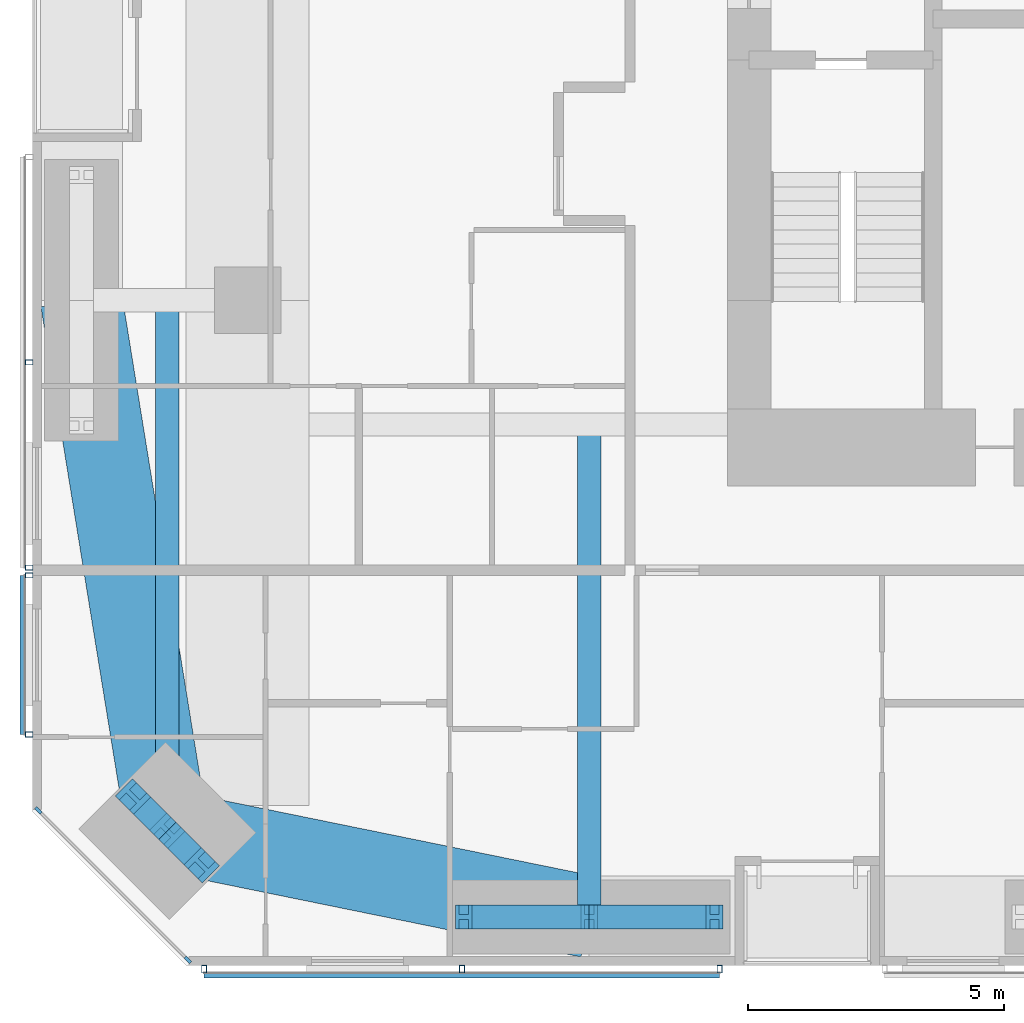
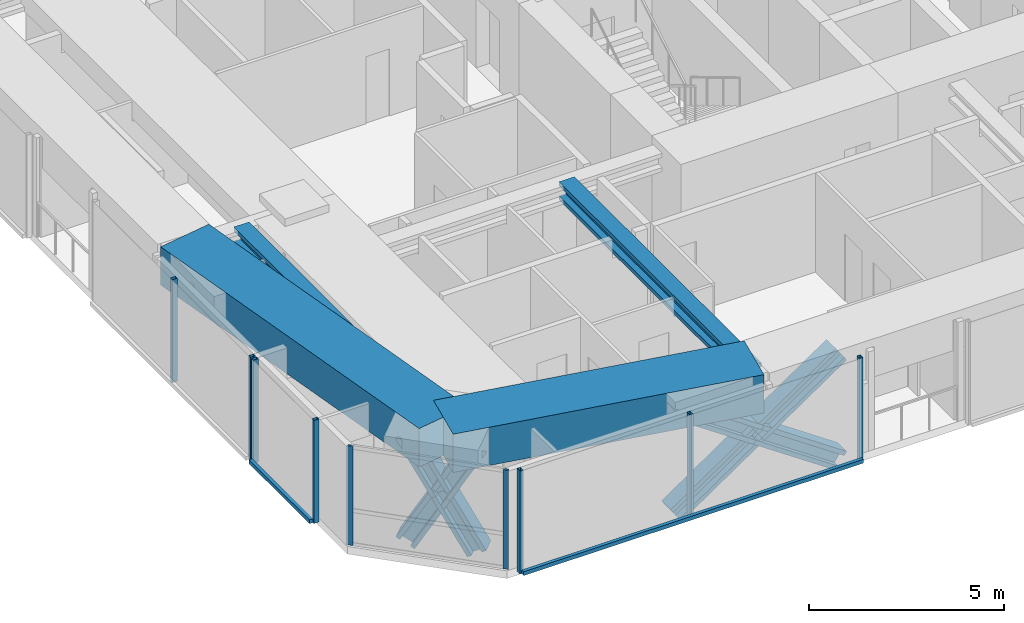
# One storey, part 2 of 23: 19 members, 4 beams, 4 elements without a shape of their own.
"""IFC4 building model written with IfcOpenShell, lengths in metres."""

import ifcopenshell
import ifcopenshell.guid

model = None  # the IFC model being written
_history = None  # IfcOwnerHistory: only IFC2X3 demands one
_inside = {}  # id of a spatial element -> (the spatial element, [elements in it])
_under = {}  # id of a project, library or spatial element -> (it, [spatial elements below it])
_declared = {}  # id of a project -> (the project, [libraries it declares])
_typed = {}  # id of a type object -> (the type object, [elements of that type])
_made_of = {}  # id of a material, layer set ... -> (it, [elements and type objects made of it])


def new_model(schema):
    """Start an empty IFC model of exactly this schema.

    Asked for "IFC4X3", IfcOpenShell would pick the latest addendum, in which some entities
    have other attributes; the version numbers below select the first issue.
    IFC2X3 requires an IfcOwnerHistory on every rooted entity: one is made here for all.
    """
    global model, _history
    if schema == "IFC4X3":
        model = ifcopenshell.file(schema_version=(4, 3, 0, 0))
    else:
        model = ifcopenshell.file(schema=schema)
    _inside.clear()
    _under.clear()
    _declared.clear()
    _typed.clear()
    _made_of.clear()
    _history = None
    if model.schema == "IFC2X3":
        org = make("IfcOrganization", Name="unknown")
        user = make(
            "IfcPersonAndOrganization",
            ThePerson=make("IfcPerson", FamilyName="unknown"),
            TheOrganization=org,
        )
        app = make(
            "IfcApplication",
            ApplicationDeveloper=org,
            Version="unknown",
            ApplicationFullName="unknown",
            ApplicationIdentifier="unknown",
        )
        _history = make(
            "IfcOwnerHistory",
            OwningUser=user,
            OwningApplication=app,
            ChangeAction="ADDED",
            CreationDate=0,
        )
    return model


def make(cls, **values):
    """One entity of the class cls with the attributes given. An attribute that is None is left unset."""
    return model.create_entity(
        cls, **{name: value for name, value in values.items() if value is not None}
    )


def rooted(cls, **values):
    """An entity with a GlobalId (a new one), such as an element, a storey or a relation."""
    return make(cls, GlobalId=ifcopenshell.guid.new(), OwnerHistory=_history, **values)


def si_unit(unit_type, name, prefix=None):
    """IfcSIUnit, for example si_unit("LENGTHUNIT", "METRE", prefix="MILLI")."""
    return make("IfcSIUnit", UnitType=unit_type, Prefix=prefix, Name=name)


def assignment(units):
    """IfcUnitAssignment: the units of a project."""
    return None if units is None else make("IfcUnitAssignment", Units=units)


def point(xyz):
    """IfcCartesianPoint."""
    return None if xyz is None else make("IfcCartesianPoint", Coordinates=xyz)


def direction(xyz):
    """IfcDirection."""
    return None if xyz is None else make("IfcDirection", DirectionRatios=xyz)


def frame(location, z_axis=None, x_axis=None):
    """IfcAxis2Placement3D, a coordinate frame: its origin and axes. An axis left out is left unset."""
    return make(
        "IfcAxis2Placement3D",
        Location=point(location),
        Axis=direction(z_axis),
        RefDirection=direction(x_axis),
    )


def frame_2d(location, x_axis=None):
    """IfcAxis2Placement2D, a coordinate frame in the plane: its origin and x axis."""
    return make(
        "IfcAxis2Placement2D", Location=point(location), RefDirection=direction(x_axis)
    )


def origin():
    """The frame at (0, 0, 0) with its axes left unset."""
    return frame((0.0, 0.0, 0.0))


def origin_2d():
    """The frame at (0, 0) in the plane with its x axis left unset."""
    return frame_2d((0.0, 0.0))


def place(relative_to, where):
    """IfcLocalPlacement: puts the frame where relative to a parent placement (None: the world)."""
    return make(
        "IfcLocalPlacement", PlacementRelTo=relative_to, RelativePlacement=where
    )


def context(
    kind, dimensions, precision=None, world=None, true_north=None, identifier=None
):
    """IfcGeometricRepresentationContext, for example the 3D "Model" context."""
    return make(
        "IfcGeometricRepresentationContext",
        ContextIdentifier=identifier,
        ContextType=kind,
        CoordinateSpaceDimension=dimensions,
        Precision=precision,
        WorldCoordinateSystem=world,
        TrueNorth=true_north,
    )


def subcontext(parent, identifier, kind, view, scale=None):
    """IfcGeometricRepresentationSubContext, for example "Body" below "Model"."""
    return make(
        "IfcGeometricRepresentationSubContext",
        ContextIdentifier=identifier,
        ContextType=kind,
        ParentContext=parent,
        TargetScale=scale,
        TargetView=view,
    )


def project(units=None, contexts=None):
    """IfcProject with its units and contexts."""
    return rooted(
        "IfcProject",
        Name="project",
        RepresentationContexts=contexts,
        UnitsInContext=assignment(units),
    )


def spatial(cls, under=None, at=None, **own):
    """A site, building, storey or space (cls), placed at a placement, below another one or the project."""
    s = rooted(cls, ObjectPlacement=at, **own)
    if under is not None:
        _under.setdefault(under.id(), (under, []))[1].append(s)
    return s


def profile(cls, at=None, kind="AREA", **sizes):
    """A parametric profile (cls). Its sizes go by their IFC names, for example OverallWidth=200.0."""
    return make(cls, ProfileType=kind, Position=at, **sizes)


def rectangle(**sizes):
    """IfcRectangleProfileDef."""
    return profile("IfcRectangleProfileDef", **sizes)


def hollow_rectangle(**sizes):
    """IfcRectangleHollowProfileDef."""
    return profile("IfcRectangleHollowProfileDef", **sizes)


def i_section(**sizes):
    """IfcIShapeProfileDef."""
    return profile("IfcIShapeProfileDef", **sizes)


def extrude(swept, where, along, depth):
    """IfcExtrudedAreaSolid: the profile swept, set in the frame where, extruded along a direction by depth."""
    return make(
        "IfcExtrudedAreaSolid",
        SweptArea=swept,
        Position=where,
        ExtrudedDirection=direction(along),
        Depth=depth,
    )


def shape(context_of_items, identifier, shape_type, items):
    """IfcShapeRepresentation: the items that make up one representation, for example the "Body"."""
    return make(
        "IfcShapeRepresentation",
        ContextOfItems=context_of_items,
        RepresentationIdentifier=identifier,
        RepresentationType=shape_type,
        Items=items,
    )


def material(Name=None, Category=None):
    """IfcMaterial."""
    return make("IfcMaterial", Name=Name, Category=Category)


def material_profile(
    of_material, cross_section, Name=None, Category=None, Priority=None
):
    """IfcMaterialProfile: a cross section and its material."""
    return make(
        "IfcMaterialProfile",
        Name=Name,
        Material=of_material,
        Profile=cross_section,
        Priority=Priority,
        Category=Category,
    )


def profile_set(profiles, Name=None, composite=None):
    """IfcMaterialProfileSet."""
    return make(
        "IfcMaterialProfileSet",
        Name=Name,
        MaterialProfiles=profiles,
        CompositeProfile=composite,
    )


def made_of(thing, what):
    """Note that an element or type object is made of a material, layer set ...; save() writes the relation."""
    if what is not None:
        _made_of.setdefault(what.id(), (what, []))[1].append(thing)
    return thing


def type_object(cls, material=None, **own):
    """A type object (cls), such as IfcWallType, which elements share."""
    return made_of(rooted(cls, **own), material)


def element(
    cls,
    number,
    at=None,
    inside=None,
    cuts=None,
    type_object=None,
    material=None,
    context=None,
    identifier="Body",
    shape_type=None,
    held_by="IfcProductDefinitionShape",
    body=None,
    shapes=None,
    **own,
):
    """One element of the class cls, such as IfcWall. Its Tag is "e" and its number.

    at: its placement. inside: the storey or other place that contains it. cuts: it is an
    opening in that element (IfcRelVoidsElement). A single representation is given by context,
    identifier, shape_type and body (its items); several are given by shapes. held_by: the class
    of the entity that holds the representations. save() writes the other relations.
    """
    e = rooted(cls, Tag="e%d" % number, ObjectPlacement=at, **own)
    if body is not None:
        shapes = [shape(context, identifier, shape_type, body)]
    if shapes is not None:
        e.Representation = make(held_by, Representations=shapes)
    if inside is not None:
        _inside.setdefault(inside.id(), (inside, []))[1].append(e)
    if cuts is not None:
        rooted(
            "IfcRelVoidsElement", RelatingBuildingElement=cuts, RelatedOpeningElement=e
        )
    if type_object is not None:
        _typed.setdefault(type_object.id(), (type_object, []))[1].append(e)
    return made_of(e, material)


def aggregate(whole, parts):
    """IfcRelAggregates: a whole, such as a stair, and the parts it consists of."""
    return rooted("IfcRelAggregates", RelatingObject=whole, RelatedObjects=parts)


def save(model, path):
    """Write the relations noted so far, then the file.

    IfcRelAggregates (storeys below a building ...), IfcRelContainedInSpatialStructure (elements
    in a storey), IfcRelDefinesByType, IfcRelAssociatesMaterial and IfcRelDeclares: one each for
    every whole, place, type object, material and project.
    """
    for whole, parts in _under.values():
        aggregate(whole, parts)
    for where, things in _inside.values():
        rooted(
            "IfcRelContainedInSpatialStructure",
            RelatedElements=things,
            RelatingStructure=where,
        )
    for kind, things in _typed.values():
        rooted("IfcRelDefinesByType", RelatedObjects=things, RelatingType=kind)
    for what, things in _made_of.values():
        rooted("IfcRelAssociatesMaterial", RelatedObjects=things, RelatingMaterial=what)
    for by, libraries in _declared.values():
        rooted("IfcRelDeclares", RelatingContext=by, RelatedDefinitions=libraries)
    model.write(path)


model = new_model("IFC4")

# Units and contexts
model_context = context("Model", 3, precision=1e-05, world=origin(), true_north=direction((0.0, 1.0)))
body_context = subcontext(model_context, "Body", "Model", "MODEL_VIEW")
ifc_project = project(units=[si_unit("LENGTHUNIT", "METRE"), si_unit("AREAUNIT", "SQUARE_METRE"), si_unit("VOLUMEUNIT", "CUBIC_METRE"), si_unit("PLANEANGLEUNIT", "RADIAN"), si_unit("MASSUNIT", "GRAM", prefix="KILO")], contexts=[model_context])

# Site, building, storey
site_placement = place(None, origin())
site = spatial("IfcSite", under=ifc_project, at=site_placement, CompositionType="ELEMENT")
building_placement = place(site_placement, origin())
building = spatial("IfcBuilding", under=site, at=building_placement, Name="Jalousie Tower", CompositionType="ELEMENT")
storey_placement = place(building_placement, frame((0.0, 0.0, 111.550048828125)))
storey = spatial("IfcBuildingStorey", under=building, at=storey_placement, Name="L30", CompositionType="ELEMENT", Elevation=111.550048828125)

# Curtain wall, members
ifc_material_1 = material(Name="Aluminium curtain wall", Category="aluminium")
curtain_wall_type_1 = type_object("IfcCurtainWallType", Name="CORNER WINDOW WALL", PredefinedType="USERDEFINED", material=ifc_material_1)
curtain_wall_1_placement = place(storey_placement, origin())
curtain_wall_1 = element("IfcCurtainWall", 1, at=curtain_wall_1_placement, inside=storey, type_object=curtain_wall_type_1, Name="Corner Window Wall L30 8", ObjectType="CORNER WINDOW WALL", PredefinedType="USERDEFINED")
ifc_material_2 = material(Name="Aluminium mullion", Category="aluminium")
ifc_material_profile_1 = material_profile(ifc_material_2, rectangle(XDim=0.06005859375, YDim=0.14990234375, at=origin_2d()), Name="MULLION 60x150")
ifc_profile_set_1 = profile_set([ifc_material_profile_1], Name="Aluminium mullion")
member_type_1 = type_object("IfcMemberType", Name="CORNER WINDOW WALL MULLION", PredefinedType="MULLION", material=ifc_profile_set_1)
member_1_placement = place(storey_placement, frame((6.108642578125, 3.030029296875, 0.0), z_axis=(0.0, 0.0, 1.0), x_axis=(0.707106781187, 0.707106781187, 0.0)))
member_1 = element("IfcMember", 2, at=member_1_placement, type_object=member_type_1, Name="CW-C mullion 1", PredefinedType="MULLION", context=body_context, shape_type="SweptSolid", body=[
    extrude(rectangle(XDim=0.06005859375, YDim=0.14990234375, at=origin_2d()), origin(), (0.0, 0.0, 1.0), 3.10986328125),
])
member_2_placement = place(storey_placement, frame((9.030029296875, 0.108642578125, 0.0), z_axis=(0.0, 0.0, 1.0), x_axis=(0.707106781187, 0.707106781187, 0.0)))
member_2 = element("IfcMember", 3, at=member_2_placement, type_object=member_type_1, Name="CW-C mullion 2", PredefinedType="MULLION", context=body_context, shape_type="SweptSolid", body=[
    extrude(rectangle(XDim=0.06005859375, YDim=0.14990234375, at=origin_2d()), origin(), (0.0, 0.0, 1.0), 3.10986328125),
])
aggregate(curtain_wall_1, [member_1, member_2])

# Beams
ifc_material_3 = material(Name="Steel ASTM A992 Grade 50", Category="steel")
ifc_material_profile_2 = material_profile(ifc_material_3, i_section(OverallWidth=0.45458984375, OverallDepth=0.569091796875, WebThickness=0.077880859375, FlangeThickness=0.124755859375, at=origin_2d()), Name="W14X730")
ifc_profile_set_2 = profile_set([ifc_material_profile_2], Name="Steel ASTM A992 Grade 50")
beam_type_1 = type_object("IfcBeamType", Name="LEAN COLLECTOR W14X730", PredefinedType="BEAM", material=ifc_profile_set_2)
beam_1_placement = place(storey_placement, frame((8.63134765625, 2.63134765625, 2.825439453125), z_axis=(0.0, 1.0, 0.0), x_axis=(-1.0, 0.0, 0.0)))
element("IfcBeam", 4, at=beam_1_placement, inside=storey, type_object=beam_type_1, Name="Lean collector under L31", PredefinedType="BEAM", context=body_context, shape_type="SweptSolid", body=[
    extrude(i_section(OverallWidth=0.45458984375, OverallDepth=0.569091796875, WebThickness=0.077880859375, FlangeThickness=0.124755859375, at=origin_2d()), origin(), (0.0, 0.0, 1.0), 10.36865234375),
])
beam_2_placement = place(storey_placement, frame((16.875, 0.949951171875, 2.825439453125), z_axis=(0.0, 1.0, 0.0), x_axis=(-1.0, 0.0, 0.0)))
element("IfcBeam", 5, at=beam_2_placement, inside=storey, type_object=beam_type_1, Name="Lean collector under L31", PredefinedType="BEAM", context=body_context, shape_type="SweptSolid", body=[
    extrude(i_section(OverallWidth=0.45458984375, OverallDepth=0.569091796875, WebThickness=0.077880859375, FlangeThickness=0.124755859375, at=origin_2d()), origin(), (0.0, 0.0, 1.0), 9.625),
])

# Members
ifc_material_4 = material(Name="Steel ASTM A992 Grade 50", Category="steel")
ifc_material_profile_3 = material_profile(ifc_material_4, i_section(OverallWidth=0.472412109375, OverallDepth=0.5791015625, WebThickness=0.094970703125, FlangeThickness=0.1298828125, at=origin_2d()), Name="W14X808")
ifc_profile_set_3 = profile_set([ifc_material_profile_3], Name="Steel ASTM A992 Grade 50")
member_type_2 = type_object("IfcMemberType", Name="PERIMETER BRACE W14X808", PredefinedType="BRACE", material=ifc_profile_set_3)
for number, where, z_axis, x_axis, name in (
    (6, (7.959716796875, 3.302978515625, -0.60009765625), (0.348789058631, -0.348789058631, 0.869880672943), (0.707106781187, 0.707106781187, 0.0), "Perimeter brace 01 L30 part 1"),
    (7, (8.63134765625, 2.63134765625, 1.074951171875), (0.348789058631, -0.348789058631, 0.869880672943), (0.707106781187, 0.707106781187, 0.0), "Perimeter brace 01 L30 part 2"),
    (8, (9.302978515625, 1.959716796875, -0.60009765625), (-0.348789058631, 0.348789058631, 0.869880672943), (-0.707106781187, -0.707106781187, 0.0), "Perimeter brace 01 L30 part 3"),
    (9, (8.63134765625, 2.63134765625, 1.074951171875), (-0.348789058631, 0.348789058631, 0.869880672943), (-0.707106781187, -0.707106781187, 0.0), "Perimeter brace 01 L30 part 4"),
):
    element("IfcMember", number, at=place(storey_placement, frame(where, z_axis=z_axis, x_axis=x_axis)), inside=storey, type_object=member_type_2, Name=name, PredefinedType="BRACE", context=body_context, shape_type="SweptSolid", body=[
        extrude(i_section(OverallWidth=0.472412109375, OverallDepth=0.5791015625, WebThickness=0.094970703125, FlangeThickness=0.1298828125, at=origin_2d()), origin(), (0.0, 0.0, 1.0), 1.925537109375),
    ])
for number, where, z_axis, x_axis, name in (
    (10, (14.425048828125, 0.949951171875, -0.60009765625), (0.825500916831, 0.0, 0.564400776321), (0.0, 1.0, 0.0), "Perimeter brace 02 L30 part 1"),
    (11, (16.875, 0.949951171875, 1.074951171875), (0.825500916831, 0.0, 0.564400776321), (0.0, 1.0, 0.0), "Perimeter brace 02 L30 part 2"),
    (12, (19.324951171875, 0.949951171875, -0.60009765625), (-0.825500916831, 0.0, 0.564400776321), (0.0, -1.0, 0.0), "Perimeter brace 02 L30 part 3"),
    (13, (16.875, 0.949951171875, 1.074951171875), (-0.825500916831, 0.0, 0.564400776321), (0.0, -1.0, 0.0), "Perimeter brace 02 L30 part 4"),
):
    element("IfcMember", number, at=place(storey_placement, frame(where, z_axis=z_axis, x_axis=x_axis)), inside=storey, type_object=member_type_2, Name=name, PredefinedType="BRACE", context=body_context, shape_type="SweptSolid", body=[
        extrude(i_section(OverallWidth=0.472412109375, OverallDepth=0.5791015625, WebThickness=0.094970703125, FlangeThickness=0.1298828125, at=origin_2d()), origin(), (0.0, 0.0, 1.0), 2.9677734375),
    ])

# Beams
ifc_material_5 = material(Name="Concrete f'c 40 MPa", Category="concrete")
ifc_material_profile_4 = material_profile(ifc_material_5, rectangle(XDim=1.60009765625, YDim=1.199951171875, at=origin_2d()), Name="RC 1600x1200")
ifc_profile_set_4 = profile_set([ifc_material_profile_4], Name="Concrete f'c 40 MPa")
beam_type_2 = type_object("IfcBeamType", Name="RC BEAM 1600x1200", PredefinedType="BEAM", material=ifc_profile_set_4)
beam_3_placement = place(storey_placement, frame((8.63134765625, 2.63134765625, 2.75), z_axis=(0.97982690954, -0.199848010602, 0.0), x_axis=(0.199848010602, 0.97982690954, 0.0)))
element("IfcBeam", 14, at=beam_3_placement, inside=storey, type_object=beam_type_2, Name="Edge band beam 01-02 under L31", PredefinedType="BEAM", context=body_context, shape_type="SweptSolid", body=[
    extrude(rectangle(XDim=1.60009765625, YDim=1.199951171875, at=origin_2d()), origin(), (0.0, 0.0, 1.0), 8.413330078125),
])
beam_4_placement = place(storey_placement, frame((6.949951171875, 13.0, 2.75), z_axis=(0.160070546476, -0.987105577003, 0.0), x_axis=(0.987105577003, 0.160070546476, 0.0)))
element("IfcBeam", 15, at=beam_4_placement, inside=storey, type_object=beam_type_2, Name="Edge band beam 14-01 under L31", PredefinedType="BEAM", context=body_context, shape_type="SweptSolid", body=[
    extrude(rectangle(XDim=1.60009765625, YDim=1.199951171875, at=origin_2d()), origin(), (0.0, 0.0, 1.0), 10.504150390625),
])

# Curtain wall, members
ifc_material_6 = material(Name="Perforated aluminium sheet", Category="aluminium")
curtain_wall_type_2 = type_object("IfcCurtainWallType", Name="SOLAR SCREEN SS-1", PredefinedType="USERDEFINED", material=ifc_material_6)
curtain_wall_2_placement = place(storey_placement, origin())
curtain_wall_2 = element("IfcCurtainWall", 16, at=curtain_wall_2_placement, inside=storey, type_object=curtain_wall_type_2, Name="Solar screen L30", ObjectType="SOLAR SCREEN SS-1", PredefinedType="USERDEFINED")
ifc_material_7 = material(Name="Steel ASTM A500 Grade C", Category="steel")
ifc_material_profile_5 = material_profile(ifc_material_7, hollow_rectangle(XDim=0.1015625, YDim=0.15234375, WallThickness=0.00634765625, at=origin_2d()), Name="HSS6X4X1/4")
ifc_profile_set_5 = profile_set([ifc_material_profile_5], Name="Steel ASTM A500 Grade C")
member_type_3 = type_object("IfcMemberType", Name="SOLAR SCREEN SS-1 MULLION", PredefinedType="MULLION", material=ifc_profile_set_5)
member_3_placement = place(storey_placement, frame((9.351318359375, -0.0712890625, -0.1201171875), z_axis=(0.0, 0.0, 1.0), x_axis=(1.0, 0.0, 0.0)))
member_3 = element("IfcMember", 17, at=member_3_placement, type_object=member_type_3, Name="SS1 post 1", PredefinedType="MULLION", context=body_context, shape_type="SweptSolid", body=[
    extrude(hollow_rectangle(XDim=0.1015625, YDim=0.15234375, WallThickness=0.00634765625, at=origin_2d()), origin(), (0.0, 0.0, 1.0), 3.22998046875),
])
member_4_placement = place(storey_placement, frame((14.38818359375, -0.0712890625, -0.1201171875), z_axis=(0.0, 0.0, 1.0), x_axis=(1.0, 0.0, 0.0)))
member_4 = element("IfcMember", 18, at=member_4_placement, type_object=member_type_3, Name="SS1 post 2", PredefinedType="MULLION", context=body_context, shape_type="SweptSolid", body=[
    extrude(hollow_rectangle(XDim=0.1015625, YDim=0.15234375, WallThickness=0.00634765625, at=origin_2d()), origin(), (0.0, 0.0, 1.0), 3.22998046875),
])
member_5_placement = place(storey_placement, frame((19.425048828125, -0.0712890625, -0.1201171875), z_axis=(0.0, 0.0, 1.0), x_axis=(1.0, 0.0, 0.0)))
member_5 = element("IfcMember", 19, at=member_5_placement, type_object=member_type_3, Name="SS1 post 3", PredefinedType="MULLION", context=body_context, shape_type="SweptSolid", body=[
    extrude(hollow_rectangle(XDim=0.1015625, YDim=0.15234375, WallThickness=0.00634765625, at=origin_2d()), origin(), (0.0, 0.0, 1.0), 3.22998046875),
])

curtain_wall_3_placement = place(storey_placement, origin())
curtain_wall_3 = element("IfcCurtainWall", 20, at=curtain_wall_3_placement, inside=storey, type_object=curtain_wall_type_2, Name="Solar screen L30", ObjectType="SOLAR SCREEN SS-1", PredefinedType="USERDEFINED")
member_6_placement = place(storey_placement, frame((5.9287109375, 11.78759765625, -0.1201171875), z_axis=(0.0, 0.0, 1.0), x_axis=(0.0, -1.0, 0.0)))
member_6 = element("IfcMember", 21, at=member_6_placement, type_object=member_type_3, Name="SS1 post 2", PredefinedType="MULLION", context=body_context, shape_type="SweptSolid", body=[
    extrude(hollow_rectangle(XDim=0.1015625, YDim=0.15234375, WallThickness=0.00634765625, at=origin_2d()), origin(), (0.0, 0.0, 1.0), 3.22998046875),
])
member_7_placement = place(storey_placement, frame((5.9287109375, 7.77490234375, -0.1201171875), z_axis=(0.0, 0.0, 1.0), x_axis=(0.0, -1.0, 0.0)))
member_7 = element("IfcMember", 22, at=member_7_placement, type_object=member_type_3, Name="SS1 post 3", PredefinedType="MULLION", context=body_context, shape_type="SweptSolid", body=[
    extrude(hollow_rectangle(XDim=0.1015625, YDim=0.15234375, WallThickness=0.00634765625, at=origin_2d()), origin(), (0.0, 0.0, 1.0), 3.22998046875),
])
aggregate(curtain_wall_3, [member_6, member_7])

curtain_wall_4_placement = place(storey_placement, origin())
curtain_wall_4 = element("IfcCurtainWall", 23, at=curtain_wall_4_placement, inside=storey, type_object=curtain_wall_type_2, Name="Solar screen L30", ObjectType="SOLAR SCREEN SS-1", PredefinedType="USERDEFINED")
member_8_placement = place(storey_placement, frame((5.9287109375, 7.625, -0.1201171875), z_axis=(0.0, 0.0, 1.0), x_axis=(0.0, -1.0, 0.0)))
member_8 = element("IfcMember", 24, at=member_8_placement, type_object=member_type_3, Name="SS1 post 1", PredefinedType="MULLION", context=body_context, shape_type="SweptSolid", body=[
    extrude(hollow_rectangle(XDim=0.1015625, YDim=0.15234375, WallThickness=0.00634765625, at=origin_2d()), origin(), (0.0, 0.0, 1.0), 3.22998046875),
])
member_9_placement = place(storey_placement, frame((5.9287109375, 4.513916015625, -0.1201171875), z_axis=(0.0, 0.0, 1.0), x_axis=(0.0, -1.0, 0.0)))
member_9 = element("IfcMember", 25, at=member_9_placement, type_object=member_type_3, Name="SS1 post 2", PredefinedType="MULLION", context=body_context, shape_type="SweptSolid", body=[
    extrude(hollow_rectangle(XDim=0.1015625, YDim=0.15234375, WallThickness=0.00634765625, at=origin_2d()), origin(), (0.0, 0.0, 1.0), 3.22998046875),
])

# Member
ifc_material_8 = material(Name="Extruded aluminium screen rail", Category="aluminium")
ifc_material_profile_6 = material_profile(ifc_material_8, rectangle(XDim=0.1015625, YDim=0.1201171875, at=origin_2d()), Name="RAIL 102x120")
ifc_profile_set_6 = profile_set([ifc_material_profile_6], Name="Extruded aluminium screen rail")
member_type_4 = type_object("IfcMemberType", Name="SOLAR SCREEN SS-1 TRANSOM", PredefinedType="USERDEFINED", material=ifc_profile_set_6)
member_10_placement = place(storey_placement, frame((9.351318359375, -0.1982421875, -0.06005859375), z_axis=(1.0, 0.0, 0.0), x_axis=(0.0, 1.0, 0.0)))
member_10 = element("IfcMember", 26, at=member_10_placement, type_object=member_type_4, Name="SS1 rail", ObjectType="TRANSOM", PredefinedType="USERDEFINED", context=body_context, shape_type="SweptSolid", body=[
    extrude(rectangle(XDim=0.1015625, YDim=0.1201171875, at=origin_2d()), origin(), (0.0, 0.0, 1.0), 10.07373046875),
])

aggregate(curtain_wall_2, [member_3, member_4, member_5, member_10])

member_11_placement = place(storey_placement, frame((5.8017578125, 7.625, -0.06005859375), z_axis=(0.0, -1.0, 0.0), x_axis=(1.0, 0.0, 0.0)))
member_11 = element("IfcMember", 27, at=member_11_placement, type_object=member_type_4, Name="SS1 rail", ObjectType="TRANSOM", PredefinedType="USERDEFINED", context=body_context, shape_type="SweptSolid", body=[
    extrude(rectangle(XDim=0.1015625, YDim=0.1201171875, at=origin_2d()), origin(), (0.0, 0.0, 1.0), 3.111083984375),
])

aggregate(curtain_wall_4, [member_8, member_9, member_11])

save(model, "model.ifc")
